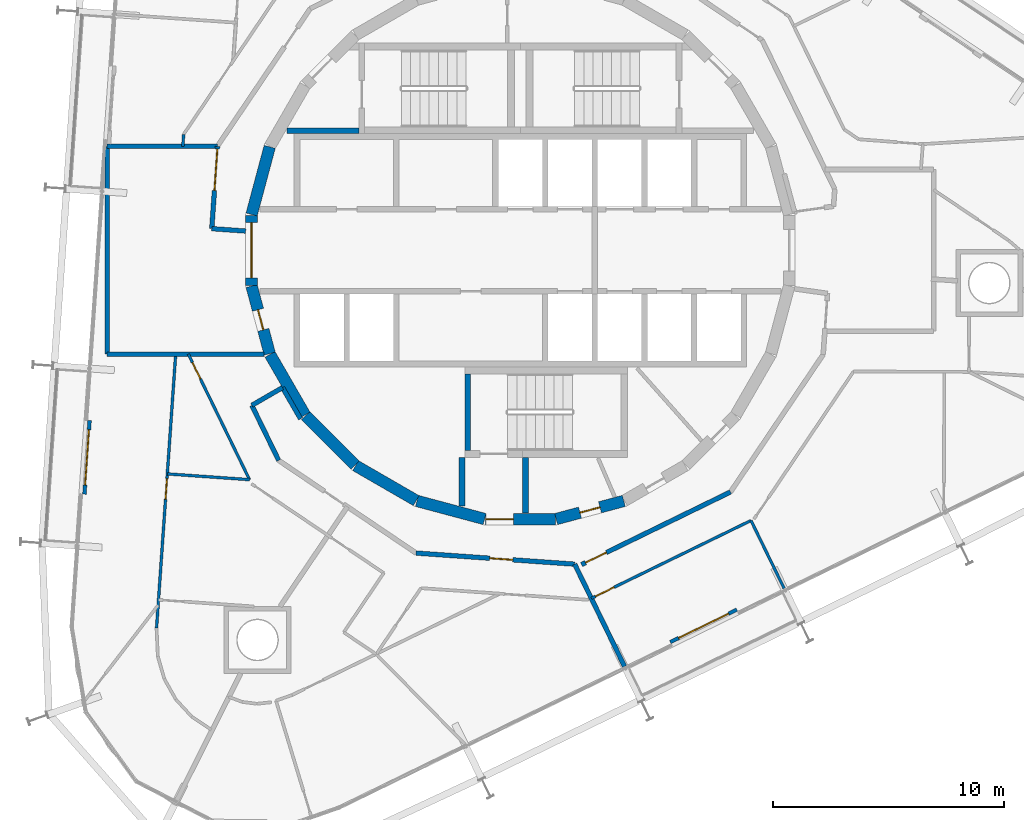
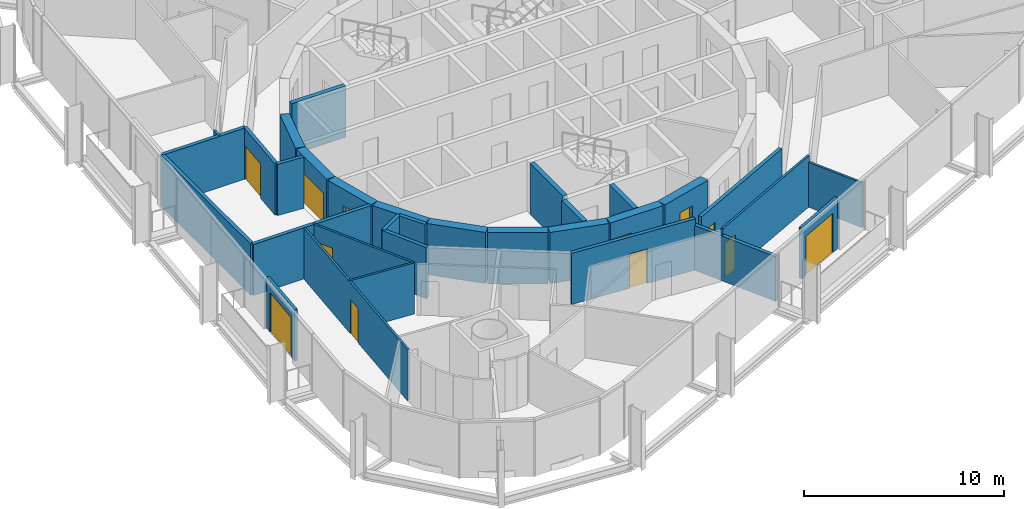
# One storey, part 12 of 17: 32 walls, 12 doors, 12 openings.
"""IFC4 building model written with IfcOpenShell, lengths in metres."""

from ifc_helpers import new_model, si_unit, direction, frame, frame_2d, origin, place, context, subcontext, project, spatial, rectangle, extrude, material, layer, layer_set, type_object, element, fill, save


model = new_model("IFC4")

# Units and contexts
model_context = context("Model", 3, precision=1e-05, world=origin(), true_north=direction((0.0, 1.0)))
body_context = subcontext(model_context, "Body", "Model", "MODEL_VIEW")
ifc_project = project(units=[si_unit("LENGTHUNIT", "METRE"), si_unit("AREAUNIT", "SQUARE_METRE"), si_unit("VOLUMEUNIT", "CUBIC_METRE"), si_unit("PLANEANGLEUNIT", "RADIAN"), si_unit("MASSUNIT", "GRAM", prefix="KILO")], contexts=[model_context])

# Site, building, storey
site_placement = place(None, origin())
site = spatial("IfcSite", under=ifc_project, at=site_placement, CompositionType="ELEMENT")
building_placement = place(site_placement, origin())
building = spatial("IfcBuilding", under=site, at=building_placement, Name="Spindle Arch Residences", CompositionType="ELEMENT")
storey_placement = place(building_placement, frame((0.0, 0.0, 212.89990234375)))
storey = spatial("IfcBuildingStorey", under=building, at=storey_placement, Name="L54", CompositionType="ELEMENT", Elevation=212.89990234375)

# Wall, opening, door
ifc_material_1 = material(Name="Concrete C50/60", Category="concrete")
ifc_layer_1 = layer(ifc_material_1, 0.5)
ifc_layer_set_1 = layer_set([ifc_layer_1], Name="Core outline wall 500")
wall_type_1 = type_object("IfcWallType", Name="Core outline wall 500", PredefinedType="SHEAR", material=ifc_layer_set_1)
wall_1_placement = place(storey_placement, frame((1.5498046875, -11.642822265625, 0.0), z_axis=(0.0, 0.0, 1.0), x_axis=(0.965948410781, 0.258734743916, 0.0)))
wall_1 = element("IfcWall", 1, at=wall_1_placement, inside=storey, type_object=wall_type_1, Name="Core outline wall 1", PredefinedType="SHEAR", context=body_context, shape_type="SweptSolid", body=[
    extrude(rectangle(XDim=3.03271484375, YDim=0.5, at=frame_2d((1.516357421875, 0.0))), origin(), (0.0, 0.0, 1.0), 3.1201171875),
])
opening_1_placement = place(wall_1_placement, frame((1.06640625, 0.0, 0.0)))
opening_1 = element("IfcOpeningElement", 2, at=opening_1_placement, cuts=wall_1, Name="Opening R5C1-WD07", PredefinedType="OPENING", context=body_context, shape_type="SweptSolid", body=[
    extrude(rectangle(XDim=0.89990234375, YDim=2.10009765625, at=frame_2d((0.449951171875, 1.050048828125))), frame((0.0, 0.260009765625, 0.0), z_axis=(0.0, -1.0, 0.0), x_axis=(1.0, 0.0, 0.0)), (0.0, 0.0, 1.0), 0.52001953125),
])
ifc_material_2 = material(Name="Steel, fire-resisting door", Category="steel")
door_type_1 = type_object("IfcDoorType", Name="Service room door 900x2100", OperationType="SINGLE_SWING_LEFT", PredefinedType="DOOR", material=ifc_material_2)
door_1_placement = place(opening_1_placement, origin())
door_1 = element("IfcDoor", 3, at=door_1_placement, inside=storey, type_object=door_type_1, Name="Service room door R5C1-WD07", OperationType="SINGLE_SWING_LEFT", OverallHeight=2.10009765625, OverallWidth=0.89990234375, PredefinedType="DOOR", context=body_context, shape_type="SweptSolid", body=[
    extrude(rectangle(XDim=0.89990234375, YDim=2.10009765625, at=frame_2d((0.449951171875, 1.050048828125))), frame((0.0, 0.02490234375, 0.0), z_axis=(0.0, -1.0, 0.0), x_axis=(1.0, 0.0, 0.0)), (0.0, 0.0, 1.0), 0.050048828125),
])
fill(opening_1, door_1)

# Wall
wall_2_placement = place(storey_placement, frame((-10.858154296875, 4.479248046875, 0.0), z_axis=(0.0, 0.0, 1.0), x_axis=(-0.258734743916, -0.965948410781, 0.0)))
element("IfcWall", 4, at=wall_2_placement, inside=storey, type_object=wall_type_1, Name="Core outline wall 17", PredefinedType="SHEAR", context=body_context, shape_type="SweptSolid", body=[
    extrude(rectangle(XDim=3.03271484375, YDim=0.5, at=frame_2d((1.516357421875, 0.0))), origin(), (0.0, 0.0, 1.0), 3.1201171875),
])

# Wall, opening, door
wall_3_placement = place(storey_placement, frame((-11.647216796875, 1.516357421875, 0.0), z_axis=(0.0, 0.0, 1.0), x_axis=(0.0, -1.0, 0.0)))
wall_3 = element("IfcWall", 5, at=wall_3_placement, inside=storey, type_object=wall_type_1, Name="Core outline wall 18", PredefinedType="SHEAR", context=body_context, shape_type="SweptSolid", body=[
    extrude(rectangle(XDim=3.03271484375, YDim=0.5, at=frame_2d((1.516357421875, 0.0))), origin(), (0.0, 0.0, 1.0), 3.1201171875),
])
opening_2_placement = place(wall_3_placement, frame((0.31640625, 0.0, 0.0)))
opening_2 = element("IfcOpeningElement", 6, at=opening_2_placement, cuts=wall_3, Name="Opening R5C1-LE01", PredefinedType="OPENING", context=body_context, shape_type="SweptSolid", body=[
    extrude(rectangle(XDim=2.39990234375, YDim=2.10009765625, at=frame_2d((1.199951171875, 1.050048828125))), frame((0.0, 0.260009765625, 0.0), z_axis=(0.0, -1.0, 0.0), x_axis=(1.0, 0.0, 0.0)), (0.0, 0.0, 1.0), 0.52001953125),
])
ifc_material_3 = material(Name="Steel, fire-resisting door", Category="steel")
door_type_2 = type_object("IfcDoorType", Name="Lift lobby entrance door 2400x2100", OperationType="DOUBLE_DOOR_SINGLE_SWING", PredefinedType="DOOR", material=ifc_material_3)
door_2_placement = place(opening_2_placement, origin())
door_2 = element("IfcDoor", 7, at=door_2_placement, inside=storey, type_object=door_type_2, Name="Lift lobby entrance door R5C1-LE01", OperationType="DOUBLE_DOOR_SINGLE_SWING", OverallHeight=2.10009765625, OverallWidth=2.39990234375, PredefinedType="DOOR", context=body_context, shape_type="SweptSolid", body=[
    extrude(rectangle(XDim=2.39990234375, YDim=2.10009765625, at=frame_2d((1.199951171875, 1.050048828125))), frame((0.0, 0.02490234375, 0.0), z_axis=(0.0, -1.0, 0.0), x_axis=(1.0, 0.0, 0.0)), (0.0, 0.0, 1.0), 0.050048828125),
])
fill(opening_2, door_2)

wall_4_placement = place(storey_placement, frame((-11.642822265625, -1.5498046875, 0.0), z_axis=(0.0, 0.0, 1.0), x_axis=(0.258734743916, -0.965948410781, 0.0)))
wall_4 = element("IfcWall", 8, at=wall_4_placement, inside=storey, type_object=wall_type_1, Name="Core outline wall 19", PredefinedType="SHEAR", context=body_context, shape_type="SweptSolid", body=[
    extrude(rectangle(XDim=3.03271484375, YDim=0.5, at=frame_2d((1.516357421875, 0.0))), origin(), (0.0, 0.0, 1.0), 3.1201171875),
])
opening_3_placement = place(wall_4_placement, frame((1.06640625, 0.0, 0.0)))
opening_3 = element("IfcOpeningElement", 9, at=opening_3_placement, cuts=wall_4, Name="Opening R5C1-WD09", PredefinedType="OPENING", context=body_context, shape_type="SweptSolid", body=[
    extrude(rectangle(XDim=0.89990234375, YDim=2.10009765625, at=frame_2d((0.449951171875, 1.050048828125))), frame((0.0, 0.260009765625, 0.0), z_axis=(0.0, -1.0, 0.0), x_axis=(1.0, 0.0, 0.0)), (0.0, 0.0, 1.0), 0.52001953125),
])
door_3_placement = place(opening_3_placement, origin())
door_3 = element("IfcDoor", 10, at=door_3_placement, inside=storey, type_object=door_type_1, Name="Service room door R5C1-WD09", OperationType="SINGLE_SWING_LEFT", OverallHeight=2.10009765625, OverallWidth=0.89990234375, PredefinedType="DOOR", context=body_context, shape_type="SweptSolid", body=[
    extrude(rectangle(XDim=0.89990234375, YDim=2.10009765625, at=frame_2d((0.449951171875, 1.050048828125))), frame((0.0, 0.02490234375, 0.0), z_axis=(0.0, -1.0, 0.0), x_axis=(1.0, 0.0, 0.0)), (0.0, 0.0, 1.0), 0.050048828125),
])
fill(opening_3, door_3)

# Walls
wall_5_placement = place(storey_placement, frame((-10.84521484375, -4.510498046875, 0.0), z_axis=(0.0, 0.0, 1.0), x_axis=(0.500087131594, -0.865975092491, 0.0)))
element("IfcWall", 11, at=wall_5_placement, inside=storey, type_object=wall_type_1, Name="Core outline wall 20", PredefinedType="SHEAR", context=body_context, shape_type="SweptSolid", body=[
    extrude(rectangle(XDim=3.03271484375, YDim=0.5, at=frame_2d((1.516357421875, 0.0))), origin(), (0.0, 0.0, 1.0), 3.1201171875),
])
wall_6_placement = place(storey_placement, frame((-9.30810546875, -7.163818359375, 0.0), z_axis=(0.0, 0.0, 1.0), x_axis=(0.707106781187, -0.707106781187, 0.0)))
element("IfcWall", 12, at=wall_6_placement, inside=storey, type_object=wall_type_1, Name="Core outline wall 21", PredefinedType="SHEAR", context=body_context, shape_type="SweptSolid", body=[
    extrude(rectangle(XDim=3.032470703125, YDim=0.5, at=frame_2d((1.51611328125, 0.0))), origin(), (0.0, 0.0, 1.0), 3.1201171875),
])
for number, where, z_axis, x_axis, name in (
    (13, (-7.13671875, -9.32861328125, 0.0), (0.0, 0.0, 1.0), (0.865975092491, -0.500087131594, 0.0), "Core outline wall 22"),
    (14, (-4.479248046875, -10.858154296875, 0.0), (0.0, 0.0, 1.0), (0.965948410781, -0.258734743916, 0.0), "Core outline wall 23"),
):
    element("IfcWall", number, at=place(storey_placement, frame(where, z_axis=z_axis, x_axis=x_axis)), inside=storey, type_object=wall_type_1, Name=name, PredefinedType="SHEAR", context=body_context, shape_type="SweptSolid", body=[
        extrude(rectangle(XDim=3.03271484375, YDim=0.5, at=frame_2d((1.516357421875, 0.0))), origin(), (0.0, 0.0, 1.0), 3.1201171875),
    ])

# Wall, opening, door
wall_7_placement = place(storey_placement, frame((-1.516357421875, -11.647216796875, 0.0), z_axis=(0.0, 0.0, 1.0), x_axis=(1.0, 0.0, 0.0)))
wall_7 = element("IfcWall", 15, at=wall_7_placement, inside=storey, type_object=wall_type_1, Name="Core outline wall 24", PredefinedType="SHEAR", context=body_context, shape_type="SweptSolid", body=[
    extrude(rectangle(XDim=3.03271484375, YDim=0.5, at=frame_2d((1.516357421875, 0.0))), origin(), (0.0, 0.0, 1.0), 3.1201171875),
])
opening_4_placement = place(wall_7_placement, frame((0.016357421875, 0.0, 0.0)))
opening_4 = element("IfcOpeningElement", 16, at=opening_4_placement, cuts=wall_7, Name="Opening R5C1-AD03", PredefinedType="OPENING", context=body_context, shape_type="SweptSolid", body=[
    extrude(rectangle(XDim=1.199951171875, YDim=2.10009765625, at=frame_2d((0.60009765625, 1.050048828125))), frame((0.0, 0.260009765625, 0.0), z_axis=(0.0, -1.0, 0.0), x_axis=(1.0, 0.0, 0.0)), (0.0, 0.0, 1.0), 0.52001953125),
])
ifc_material_4 = material(Name="Steel, fire-resisting door", Category="steel")
door_type_3 = type_object("IfcDoorType", Name="Stair airlock door 1200x2100", OperationType="SINGLE_SWING_LEFT", PredefinedType="DOOR", material=ifc_material_4)
door_4_placement = place(opening_4_placement, origin())
door_4 = element("IfcDoor", 17, at=door_4_placement, inside=storey, type_object=door_type_3, Name="Stair airlock door R5C1-AD03", OperationType="SINGLE_SWING_RIGHT", OverallHeight=2.10009765625, OverallWidth=1.199951171875, PredefinedType="DOOR", context=body_context, shape_type="SweptSolid", body=[
    extrude(rectangle(XDim=1.199951171875, YDim=2.10009765625, at=frame_2d((0.60009765625, 1.050048828125))), frame((0.0, 0.02490234375, 0.0), z_axis=(0.0, -1.0, 0.0), x_axis=(1.0, 0.0, 0.0)), (0.0, 0.0, 1.0), 0.050048828125),
])
fill(opening_4, door_4)

# Walls
ifc_material_5 = material(Name="Calcium silicate block, plastered")
ifc_layer_2 = layer(ifc_material_5, 0.199951171875)
ifc_layer_set_2 = layer_set([ifc_layer_2], Name="Corridor wall 200")
wall_type_2 = type_object("IfcWallType", Name="Corridor wall 200", PredefinedType="STANDARD", material=ifc_layer_set_2)
wall_8_placement = place(storey_placement, frame((-10.303466796875, -5.94873046875, 0.0), z_axis=(0.0, 0.0, 1.0), x_axis=(-0.866042588199, -0.499970234539, 0.0)))
element("IfcWall", 18, at=wall_8_placement, inside=storey, type_object=wall_type_2, Name="Corridor wall R5C1-W015", PredefinedType="STANDARD", context=body_context, shape_type="SweptSolid", body=[
    extrude(rectangle(XDim=1.53515625, YDim=0.199951171875, at=frame_2d((0.767578125, 0.0))), origin(), (0.0, 0.0, 1.0), 3.1201171875),
])
wall_9_placement = place(storey_placement, frame((-11.633056640625, -6.71630859375, 0.0), z_axis=(0.0, 0.0, 1.0), x_axis=(0.438322116278, -0.898817958422, 0.0)))
element("IfcWall", 19, at=wall_9_placement, inside=storey, type_object=wall_type_2, Name="Corridor wall R5C1-W016", PredefinedType="STANDARD", context=body_context, shape_type="SweptSolid", body=[
    extrude(rectangle(XDim=2.653564453125, YDim=0.199951171875, at=frame_2d((1.32666015625, 0.0))), origin(), (0.0, 0.0, 1.0), 3.1201171875),
])
wall_10_placement = place(storey_placement, frame((-9.520263671875, -7.30517578125, 0.0), z_axis=(0.0, 0.0, 1.0), x_axis=(-0.500028278809, 0.866009076391, 0.0)))
element("IfcWall", 20, at=wall_10_placement, inside=storey, type_object=wall_type_2, Name="Corridor wall R5C1-W018", PredefinedType="STANDARD", context=body_context, shape_type="SweptSolid", body=[
    extrude(rectangle(XDim=1.56640625, YDim=0.199951171875, at=frame_2d((0.783203125, 0.0))), origin(), (0.0, 0.0, 1.0), 3.1201171875),
])

# Wall, opening, door
wall_11_placement = place(storey_placement, frame((-4.5166015625, -13.116943359375, 0.0), z_axis=(0.0, 0.0, 1.0), x_axis=(0.997564669554, -0.069747616856, 0.0)))
wall_11 = element("IfcWall", 21, at=wall_11_placement, inside=storey, type_object=wall_type_2, Name="Corridor wall R5C1-W019", PredefinedType="STANDARD", context=body_context, shape_type="SweptSolid", body=[
    extrude(rectangle(XDim=6.88525390625, YDim=0.199951171875, at=frame_2d((3.442626953125, 0.0))), origin(), (0.0, 0.0, 1.0), 3.1201171875),
])
opening_5_placement = place(wall_11_placement, frame((3.199951171875, 0.0, 0.0)))
opening_5 = element("IfcOpeningElement", 22, at=opening_5_placement, cuts=wall_11, Name="Opening R5C1-FD05", PredefinedType="OPENING", context=body_context, shape_type="SweptSolid", body=[
    extrude(rectangle(XDim=1.0, YDim=2.10009765625, at=frame_2d((0.5, 1.050048828125))), frame((0.0, 0.10986328125, 0.0), z_axis=(0.0, -1.0, 0.0), x_axis=(1.0, 0.0, 0.0)), (0.0, 0.0, 1.0), 0.219970703125),
])
ifc_material_6 = material(Name="Timber, fire-resisting door set", Category="wood")
door_type_4 = type_object("IfcDoorType", Name="Flat entrance door 1000x2100", OperationType="NOTDEFINED", PredefinedType="DOOR", material=ifc_material_6)
door_5_placement = place(opening_5_placement, origin())
door_5 = element("IfcDoor", 23, at=door_5_placement, inside=storey, type_object=door_type_4, Name="Flat entrance door R5C1-FD05", OperationType="SINGLE_SWING_LEFT", OverallHeight=2.10009765625, OverallWidth=1.0, PredefinedType="DOOR", context=body_context, shape_type="SweptSolid", body=[
    extrude(rectangle(XDim=1.0, YDim=2.10009765625, at=frame_2d((0.5, 1.050048828125))), frame((0.0, 0.02490234375, 0.0), z_axis=(0.0, -1.0, 0.0), x_axis=(1.0, 0.0, 0.0)), (0.0, 0.0, 1.0), 0.050048828125),
])
fill(opening_5, door_5)

wall_12_placement = place(storey_placement, frame((2.64697265625, -13.617919921875, 0.0), z_axis=(0.0, 0.0, 1.0), x_axis=(0.898796543751, 0.438366026218, 0.0)))
wall_12 = element("IfcWall", 24, at=wall_12_placement, inside=storey, type_object=wall_type_2, Name="Corridor wall R5C1-W020", PredefinedType="STANDARD", context=body_context, shape_type="SweptSolid", body=[
    extrude(rectangle(XDim=7.18115234375, YDim=0.199951171875, at=frame_2d((3.590576171875, 0.0))), origin(), (0.0, 0.0, 1.0), 3.1201171875),
])
opening_6_placement = place(wall_12_placement, frame((0.199951171875, 0.0, 0.0)))
opening_6 = element("IfcOpeningElement", 25, at=opening_6_placement, cuts=wall_12, Name="Opening R5C1-FD06", PredefinedType="OPENING", context=body_context, shape_type="SweptSolid", body=[
    extrude(rectangle(XDim=1.0, YDim=2.10009765625, at=frame_2d((0.5, 1.050048828125))), frame((0.0, 0.10986328125, 0.0), z_axis=(0.0, -1.0, 0.0), x_axis=(1.0, 0.0, 0.0)), (0.0, 0.0, 1.0), 0.219970703125),
])
door_6_placement = place(opening_6_placement, origin())
door_6 = element("IfcDoor", 26, at=door_6_placement, inside=storey, type_object=door_type_4, Name="Flat entrance door R5C1-FD06", OperationType="SINGLE_SWING_LEFT", OverallHeight=2.10009765625, OverallWidth=1.0, PredefinedType="DOOR", context=body_context, shape_type="SweptSolid", body=[
    extrude(rectangle(XDim=1.0, YDim=2.10009765625, at=frame_2d((0.5, 1.050048828125))), frame((0.0, 0.02490234375, 0.0), z_axis=(0.0, -1.0, 0.0), x_axis=(1.0, 0.0, 0.0)), (0.0, 0.0, 1.0), 0.050048828125),
])
fill(opening_6, door_6)

# Wall
ifc_material_7 = material(Name="Plasterboard on steel studs", Category="steel")
ifc_layer_3 = layer(ifc_material_7, 0.1201171875)
ifc_layer_set_3 = layer_set([ifc_layer_3], Name="Flat partition 120")
wall_type_3 = type_object("IfcWallType", Name="Flat partition 120", PredefinedType="PARTITIONING", material=ifc_layer_set_3)
wall_13_placement = place(storey_placement, frame((-14.585205078125, 5.022216796875, 0.0), z_axis=(0.0, 0.0, 1.0), x_axis=(-0.069490327804, -0.997582625321, 0.0)))
element("IfcWall", 27, at=wall_13_placement, inside=storey, type_object=wall_type_3, Name="Flat partition R5C1-W061", PredefinedType="PARTITIONING", context=body_context, shape_type="SweptSolid", body=[
    extrude(rectangle(XDim=0.5234375, YDim=0.1201171875, at=frame_2d((0.26171875, 0.0))), origin(), (0.0, 0.0, 1.0), 3.1201171875),
])

# Wall, opening, door
wall_14_placement = place(storey_placement, frame((-14.383056640625, -4.5, 0.0), z_axis=(0.0, 0.0, 1.0), x_axis=(0.438393414895, -0.898783185077, 0.0)))
wall_14 = element("IfcWall", 28, at=wall_14_placement, inside=storey, type_object=wall_type_3, Name="Flat partition R5C1-W071", PredefinedType="PARTITIONING", context=body_context, shape_type="SweptSolid", body=[
    extrude(rectangle(XDim=6.049072265625, YDim=0.1201171875, at=frame_2d((3.0244140625, 0.0))), origin(), (0.0, 0.0, 1.0), 3.1201171875),
])
opening_7_placement = place(wall_14_placement, frame((0.39990234375, 0.0, 0.0)))
opening_7 = element("IfcOpeningElement", 29, at=opening_7_placement, cuts=wall_14, Name="Opening R5C1-BD04", PredefinedType="OPENING", context=body_context, shape_type="SweptSolid", body=[
    extrude(rectangle(XDim=0.800048828125, YDim=2.10009765625, at=frame_2d((0.39990234375, 1.050048828125))), frame((0.0, 0.070068359375, 0.0), z_axis=(0.0, -1.0, 0.0), x_axis=(1.0, 0.0, 0.0)), (0.0, 0.0, 1.0), 0.14013671875),
])
ifc_material_8 = material(Name="Timber door set", Category="wood")
door_type_5 = type_object("IfcDoorType", Name="Bathroom door 800x2100", OperationType="NOTDEFINED", PredefinedType="DOOR", material=ifc_material_8)
door_7_placement = place(opening_7_placement, origin())
door_7 = element("IfcDoor", 30, at=door_7_placement, inside=storey, type_object=door_type_5, Name="Bathroom door R5C1-BD04", OperationType="SINGLE_SWING_RIGHT", OverallHeight=2.10009765625, OverallWidth=0.800048828125, PredefinedType="DOOR", context=body_context, shape_type="SweptSolid", body=[
    extrude(rectangle(XDim=0.800048828125, YDim=2.10009765625, at=frame_2d((0.39990234375, 1.050048828125))), frame((0.0, 0.02490234375, 0.0), z_axis=(0.0, -1.0, 0.0), x_axis=(1.0, 0.0, 0.0)), (0.0, 0.0, 1.0), 0.050048828125),
])
fill(opening_7, door_7)

wall_15_placement = place(storey_placement, frame((-14.930908203125, -4.5, 0.0), z_axis=(0.0, 0.0, 1.0), x_axis=(-0.069751708439, -0.997564383471, 0.0)))
wall_15 = element("IfcWall", 31, at=wall_15_placement, inside=storey, type_object=wall_type_3, Name="Flat partition R5C1-W073", PredefinedType="PARTITIONING", context=body_context, shape_type="SweptSolid", body=[
    extrude(rectangle(XDim=11.8935546875, YDim=0.1201171875, at=frame_2d((5.94677734375, 0.0))), origin(), (0.0, 0.0, 1.0), 3.1201171875),
])
opening_8_placement = place(wall_15_placement, frame((5.400390625, 0.0, 0.0)))
opening_8 = element("IfcOpeningElement", 32, at=opening_8_placement, cuts=wall_15, Name="Opening R5C1-ID15", PredefinedType="OPENING", context=body_context, shape_type="SweptSolid", body=[
    extrude(rectangle(XDim=0.89990234375, YDim=2.10009765625, at=frame_2d((0.449951171875, 1.050048828125))), frame((0.0, 0.070068359375, 0.0), z_axis=(0.0, -1.0, 0.0), x_axis=(1.0, 0.0, 0.0)), (0.0, 0.0, 1.0), 0.14013671875),
])
ifc_material_9 = material(Name="Timber door set", Category="wood")
door_type_6 = type_object("IfcDoorType", Name="Room door 900x2100", OperationType="NOTDEFINED", PredefinedType="DOOR", material=ifc_material_9)
door_8_placement = place(opening_8_placement, origin())
door_8 = element("IfcDoor", 33, at=door_8_placement, inside=storey, type_object=door_type_6, Name="Room door R5C1-ID15", OperationType="SINGLE_SWING_RIGHT", OverallHeight=2.10009765625, OverallWidth=0.89990234375, PredefinedType="DOOR", context=body_context, shape_type="SweptSolid", body=[
    extrude(rectangle(XDim=0.89990234375, YDim=2.10009765625, at=frame_2d((0.449951171875, 1.050048828125))), frame((0.0, 0.02490234375, 0.0), z_axis=(0.0, -1.0, 0.0), x_axis=(1.0, 0.0, 0.0)), (0.0, 0.0, 1.0), 0.050048828125),
])
fill(opening_8, door_8)

# Wall
wall_16_placement = place(storey_placement, frame((-15.293701171875, -9.687744140625, 0.0), z_axis=(0.0, 0.0, 1.0), x_axis=(0.997565819809, -0.069731163391, 0.0)))
element("IfcWall", 34, at=wall_16_placement, inside=storey, type_object=wall_type_3, Name="Flat partition R5C1-W074", PredefinedType="PARTITIONING", context=body_context, shape_type="SweptSolid", body=[
    extrude(rectangle(XDim=3.5712890625, YDim=0.1201171875, at=frame_2d((1.78564453125, 0.0))), origin(), (0.0, 0.0, 1.0), 3.1201171875),
])

# Wall, opening, door
wall_17_placement = place(storey_placement, frame((3.07421875, -15.078369140625, 0.0), z_axis=(0.0, 0.0, 1.0), x_axis=(0.898800770739, 0.438357359377, 0.0)))
wall_17 = element("IfcWall", 35, at=wall_17_placement, inside=storey, type_object=wall_type_3, Name="Flat partition R5C1-W093", PredefinedType="PARTITIONING", context=body_context, shape_type="SweptSolid", body=[
    extrude(rectangle(XDim=7.693603515625, YDim=0.1201171875, at=frame_2d((3.8466796875, 0.0))), origin(), (0.0, 0.0, 1.0), 3.1201171875),
])
opening_9_placement = place(wall_17_placement, frame((0.199951171875, 0.0, 0.0)))
opening_9 = element("IfcOpeningElement", 36, at=opening_9_placement, cuts=wall_17, Name="Opening R5C1-ID22", PredefinedType="OPENING", context=body_context, shape_type="SweptSolid", body=[
    extrude(rectangle(XDim=0.89990234375, YDim=2.10009765625, at=frame_2d((0.449951171875, 1.050048828125))), frame((0.0, 0.070068359375, 0.0), z_axis=(0.0, -1.0, 0.0), x_axis=(1.0, 0.0, 0.0)), (0.0, 0.0, 1.0), 0.14013671875),
])
door_9_placement = place(opening_9_placement, origin())
door_9 = element("IfcDoor", 37, at=door_9_placement, inside=storey, type_object=door_type_6, Name="Room door R5C1-ID22", OperationType="SINGLE_SWING_LEFT", OverallHeight=2.10009765625, OverallWidth=0.89990234375, PredefinedType="DOOR", context=body_context, shape_type="SweptSolid", body=[
    extrude(rectangle(XDim=0.89990234375, YDim=2.10009765625, at=frame_2d((0.449951171875, 1.050048828125))), frame((0.0, 0.02490234375, 0.0), z_axis=(0.0, -1.0, 0.0), x_axis=(1.0, 0.0, 0.0)), (0.0, 0.0, 1.0), 0.050048828125),
])
fill(opening_9, door_9)

# Walls
ifc_material_10 = material(Name="Plasterboard on steel studs", Category="steel")
ifc_layer_4 = layer(ifc_material_10, 0.1201171875)
ifc_layer_set_4 = layer_set([ifc_layer_4], Name="Flat partition 120 under beam 2730")
wall_type_4 = type_object("IfcWallType", Name="Flat partition 120 under beam 2730", PredefinedType="PARTITIONING", material=ifc_layer_set_4)
wall_18_placement = place(storey_placement, frame((11.427490234375, -14.654296875, 0.0), z_axis=(0.0, 0.0, 1.0), x_axis=(-0.438410435857, 0.898774882677, 0.0)))
element("IfcWall", 38, at=wall_18_placement, inside=storey, type_object=wall_type_4, Name="Flat partition R5C1-W097", PredefinedType="PARTITIONING", context=body_context, shape_type="SweptSolid", body=[
    extrude(rectangle(XDim=3.280517578125, YDim=0.1201171875, at=frame_2d((1.64013671875, 0.0))), origin(), (0.0, 0.0, 1.0), 2.72998046875),
])
ifc_material_11 = material(Name="Calcium silicate block, plastered")
ifc_layer_5 = layer(ifc_material_11, 0.199951171875)
ifc_layer_set_5 = layer_set([ifc_layer_5], Name="Flat party wall 200 under beam 2730")
wall_type_5 = type_object("IfcWallType", Name="Flat party wall 200 under beam 2730", PredefinedType="STANDARD", material=ifc_layer_set_5)
wall_19_placement = place(storey_placement, frame((4.512451171875, -18.027099609375, 0.0), z_axis=(0.0, 0.0, 1.0), x_axis=(-0.438374835386, 0.898792247241, 0.0)))
element("IfcWall", 39, at=wall_19_placement, inside=storey, type_object=wall_type_5, Name="Flat party wall R5C1-W037", PredefinedType="STANDARD", context=body_context, shape_type="SweptSolid", body=[
    extrude(rectangle(XDim=4.9287109375, YDim=0.199951171875, at=frame_2d((2.46435546875, 0.0))), origin(), (0.0, 0.0, 1.0), 2.72998046875),
])

# Wall, opening, door
ifc_material_12 = material(Name="Non-combustible mineral wool insulated aluminium faced external wall (K0)", Category="aluminium")
ifc_layer_6 = layer(ifc_material_12, 0.159912109375)
ifc_layer_set_6 = layer_set([ifc_layer_6], Name="Insulated external wall panel 160")
wall_type_6 = type_object("IfcWallType", Name="Insulated external wall panel 160", PredefinedType="STANDARD", material=ifc_layer_set_6)
wall_20_placement = place(storey_placement, frame((-18.66064453125, -7.37451171875, 0.0), z_axis=(0.0, 0.0, 1.0), x_axis=(-0.069734222855, -0.997565605944, 0.0)))
wall_20 = element("IfcWall", 40, at=wall_20_placement, inside=storey, type_object=wall_type_6, Name="External wall L54 bay 16", PredefinedType="STANDARD", context=body_context, shape_type="SweptSolid", body=[
    extrude(rectangle(XDim=3.199951171875, YDim=0.159912109375, at=frame_2d((1.60009765625, 0.0))), origin(), (0.0, 0.0, 1.0), 3.1201171875),
])
opening_10_placement = place(wall_20_placement, frame((0.39990234375, 0.0, 0.0)))
opening_10 = element("IfcOpeningElement", 41, at=opening_10_placement, cuts=wall_20, Name="Opening BD16", PredefinedType="OPENING", context=body_context, shape_type="SweptSolid", body=[
    extrude(rectangle(XDim=2.39990234375, YDim=2.39990234375, at=frame_2d((1.199951171875, 1.199951171875))), frame((0.0, 0.08984375, 0.0), z_axis=(0.0, -1.0, 0.0), x_axis=(1.0, 0.0, 0.0)), (0.0, 0.0, 1.0), 0.179931640625),
])
ifc_material_13 = material(Name="Bronze aluminium frame, tinted double glazing", Category="aluminium")
door_type_7 = type_object("IfcDoorType", Name="Sliding glazed balcony door 2400x2400", OperationType="DOUBLE_DOOR_SLIDING", PredefinedType="DOOR", material=ifc_material_13)
door_10_placement = place(opening_10_placement, origin())
door_10 = element("IfcDoor", 42, at=door_10_placement, inside=storey, type_object=door_type_7, Name="Balcony door BD16", OperationType="DOUBLE_DOOR_SLIDING", OverallHeight=2.39990234375, OverallWidth=2.39990234375, PredefinedType="DOOR", context=body_context, shape_type="SweptSolid", body=[
    extrude(rectangle(XDim=2.39990234375, YDim=2.39990234375, at=frame_2d((1.199951171875, 1.199951171875))), frame((0.0, 0.02490234375, 0.0), z_axis=(0.0, -1.0, 0.0), x_axis=(1.0, 0.0, 0.0)), (0.0, 0.0, 1.0), 0.050048828125),
])
fill(opening_10, door_10)

wall_21_placement = place(storey_placement, frame((6.496826171875, -16.97021484375, 0.0), z_axis=(0.0, 0.0, 1.0), x_axis=(0.898778711213, 0.43840258698, 0.0)))
wall_21 = element("IfcWall", 43, at=wall_21_placement, inside=storey, type_object=wall_type_6, Name="External wall L54 bay 22", PredefinedType="STANDARD", context=body_context, shape_type="SweptSolid", body=[
    extrude(rectangle(XDim=3.199951171875, YDim=0.159912109375, at=frame_2d((1.60009765625, 0.0))), origin(), (0.0, 0.0, 1.0), 3.1201171875),
])
opening_11_placement = place(wall_21_placement, frame((0.39990234375, 0.0, 0.0)))
opening_11 = element("IfcOpeningElement", 44, at=opening_11_placement, cuts=wall_21, Name="Opening BD22", PredefinedType="OPENING", context=body_context, shape_type="SweptSolid", body=[
    extrude(rectangle(XDim=2.39990234375, YDim=2.39990234375, at=frame_2d((1.199951171875, 1.199951171875))), frame((0.0, 0.08984375, 0.0), z_axis=(0.0, -1.0, 0.0), x_axis=(1.0, 0.0, 0.0)), (0.0, 0.0, 1.0), 0.179931640625),
])
door_11_placement = place(opening_11_placement, origin())
door_11 = element("IfcDoor", 45, at=door_11_placement, inside=storey, type_object=door_type_7, Name="Balcony door BD22", OperationType="DOUBLE_DOOR_SLIDING", OverallHeight=2.39990234375, OverallWidth=2.39990234375, PredefinedType="DOOR", context=body_context, shape_type="SweptSolid", body=[
    extrude(rectangle(XDim=2.39990234375, YDim=2.39990234375, at=frame_2d((1.199951171875, 1.199951171875))), frame((0.0, 0.02490234375, 0.0), z_axis=(0.0, -1.0, 0.0), x_axis=(1.0, 0.0, 0.0)), (0.0, 0.0, 1.0), 0.050048828125),
])
fill(opening_11, door_11)

ifc_material_14 = material(Name="Calcium silicate block, plastered")
ifc_layer_7 = layer(ifc_material_14, 0.199951171875)
ifc_layer_set_7 = layer_set([ifc_layer_7], Name="Lift lobby bay wall 200")
wall_type_7 = type_object("IfcWallType", Name="Lift lobby bay wall 200", PredefinedType="STANDARD", material=ifc_layer_set_7)
wall_22_placement = place(storey_placement, frame((-13.1181640625, 4.5, 0.0), z_axis=(0.0, 0.0, 1.0), x_axis=(-0.069746872611, -0.99756472159, 0.0)))
wall_22 = element("IfcWall", 46, at=wall_22_placement, inside=storey, type_object=wall_type_7, Name="Lift lobby bay wall R5C1-W008", PredefinedType="STANDARD", context=body_context, shape_type="SweptSolid", body=[
    extrude(rectangle(XDim=3.573974609375, YDim=0.199951171875, at=frame_2d((1.787109375, 0.0))), origin(), (0.0, 0.0, 1.0), 3.1201171875),
])
opening_12_placement = place(wall_22_placement, frame((0.114990234375, 0.0, 0.0)))
opening_12 = element("IfcOpeningElement", 47, at=opening_12_placement, cuts=wall_22, Name="Opening R5C1-LB01", PredefinedType="OPENING", context=body_context, shape_type="SweptSolid", body=[
    extrude(rectangle(XDim=1.800048828125, YDim=2.10009765625, at=frame_2d((0.89990234375, 1.050048828125))), frame((0.0, 0.10986328125, 0.0), z_axis=(0.0, -1.0, 0.0), x_axis=(1.0, 0.0, 0.0)), (0.0, 0.0, 1.0), 0.219970703125),
])
ifc_material_15 = material(Name="Steel, fire-resisting door", Category="steel")
door_type_8 = type_object("IfcDoorType", Name="Lift lobby bay door 1800x2100", OperationType="NOTDEFINED", PredefinedType="DOOR", material=ifc_material_15)
door_12_placement = place(opening_12_placement, origin())
door_12 = element("IfcDoor", 48, at=door_12_placement, inside=storey, type_object=door_type_8, Name="Lift lobby bay door R5C1-LB01", OperationType="DOUBLE_DOOR_SINGLE_SWING", OverallHeight=2.10009765625, OverallWidth=1.800048828125, PredefinedType="DOOR", context=body_context, shape_type="SweptSolid", body=[
    extrude(rectangle(XDim=1.800048828125, YDim=2.10009765625, at=frame_2d((0.89990234375, 1.050048828125))), frame((0.0, 0.02490234375, 0.0), z_axis=(0.0, -1.0, 0.0), x_axis=(1.0, 0.0, 0.0)), (0.0, 0.0, 1.0), 0.050048828125),
])
fill(opening_12, door_12)

# Walls
wall_23_placement = place(storey_placement, frame((-13.367431640625, 0.934814453125, 0.0), z_axis=(0.0, 0.0, 1.0), x_axis=(0.997553656289, -0.069904955655, 0.0)))
element("IfcWall", 49, at=wall_23_placement, inside=storey, type_object=wall_type_7, Name="Lift lobby bay wall R5C1-W009", PredefinedType="STANDARD", context=body_context, shape_type="SweptSolid", body=[
    extrude(rectangle(XDim=1.473876953125, YDim=0.199951171875, at=frame_2d((0.73681640625, 0.0))), origin(), (0.0, 0.0, 1.0), 3.1201171875),
])
wall_24_placement = place(storey_placement, frame((-13.1181640625, 4.5, 0.0), z_axis=(0.0, 0.0, 1.0), x_axis=(-1.0, 0.0, 0.0)))
element("IfcWall", 50, at=wall_24_placement, inside=storey, type_object=wall_type_7, Name="Lift lobby bay wall R5C1-W022", PredefinedType="STANDARD", context=body_context, shape_type="SweptSolid", body=[
    extrude(rectangle(XDim=4.78173828125, YDim=0.199951171875, at=frame_2d((2.390869140625, 0.0))), origin(), (0.0, 0.0, 1.0), 3.1201171875),
])
wall_25_placement = place(storey_placement, frame((-17.89990234375, 4.5, 0.0), z_axis=(0.0, 0.0, 1.0), x_axis=(0.0, -1.0, 0.0)))
element("IfcWall", 51, at=wall_25_placement, inside=storey, type_object=wall_type_7, Name="Lift lobby bay wall R5C1-W023", PredefinedType="STANDARD", context=body_context, shape_type="SweptSolid", body=[
    extrude(rectangle(XDim=9.0, YDim=0.199951171875, at=frame_2d((4.5, 0.0))), origin(), (0.0, 0.0, 1.0), 3.1201171875),
])
wall_26_placement = place(storey_placement, frame((-17.89990234375, -4.5, 0.0), z_axis=(0.0, 0.0, 1.0), x_axis=(1.0, 0.0, 0.0)))
element("IfcWall", 52, at=wall_26_placement, inside=storey, type_object=wall_type_7, Name="Lift lobby bay wall R5C1-W024", PredefinedType="STANDARD", context=body_context, shape_type="SweptSolid", body=[
    extrude(rectangle(XDim=6.78857421875, YDim=0.199951171875, at=frame_2d((3.394287109375, 0.0))), origin(), (0.0, 0.0, 1.0), 3.1201171875),
])
ifc_material_16 = material(Name="Concrete C40/50", Category="concrete")
ifc_layer_8 = layer(ifc_material_16, 0.25)
ifc_layer_set_8 = layer_set([ifc_layer_8], Name="Stair airlock wall 250")
wall_type_8 = type_object("IfcWallType", Name="Stair airlock wall 250", PredefinedType="SHEAR", material=ifc_layer_set_8)
wall_27_placement = place(storey_placement, frame((-7.0, 5.175048828125, 0.0), z_axis=(0.0, 0.0, 1.0), x_axis=(-1.0, 0.0, 0.0)))
element("IfcWall", 53, at=wall_27_placement, inside=storey, type_object=wall_type_8, Name="Stair ST-2 airlock wall S", PredefinedType="SHEAR", context=body_context, shape_type="SweptSolid", body=[
    extrude(rectangle(XDim=3.10009765625, YDim=0.25, at=frame_2d((1.550048828125, 0.0))), origin(), (0.0, 0.0, 1.0), 3.1201171875),
])
wall_28_placement = place(storey_placement, frame((-2.52490234375, -8.969970703125, 0.0), z_axis=(0.0, 0.0, 1.0), x_axis=(0.0, -1.0, 0.0)))
element("IfcWall", 54, at=wall_28_placement, inside=storey, type_object=wall_type_8, Name="Stair ST-3 airlock wall W", PredefinedType="SHEAR", context=body_context, shape_type="SweptSolid", body=[
    extrude(rectangle(XDim=2.110107421875, YDim=0.25, at=frame_2d((1.05517578125, 0.0))), origin(), (0.0, 0.0, 1.0), 3.1201171875),
])
wall_29_placement = place(storey_placement, frame((0.22509765625, -8.969970703125, 0.0), z_axis=(0.0, 0.0, 1.0), x_axis=(0.0, -1.0, 0.0)))
element("IfcWall", 55, at=wall_29_placement, inside=storey, type_object=wall_type_8, Name="Stair ST-3 airlock wall E", PredefinedType="SHEAR", context=body_context, shape_type="SweptSolid", body=[
    extrude(rectangle(XDim=2.409912109375, YDim=0.25, at=frame_2d((1.205078125, 0.0))), origin(), (0.0, 0.0, 1.0), 3.1201171875),
])
ifc_material_17 = material(Name="Concrete C50/60", Category="concrete")
ifc_layer_9 = layer(ifc_material_17, 0.25)
ifc_layer_set_9 = layer_set([ifc_layer_9], Name="Stair enclosure wall 250")
wall_type_9 = type_object("IfcWallType", Name="Stair enclosure wall 250", PredefinedType="SHEAR", material=ifc_layer_set_9)
wall_30_placement = place(storey_placement, frame((-2.27490234375, -8.669921875, 0.0), z_axis=(0.0, 0.0, 1.0), x_axis=(0.0, 1.0, 0.0)))
element("IfcWall", 56, at=wall_30_placement, inside=storey, type_object=wall_type_9, Name="Stair ST-3 enclosure wall W", PredefinedType="SHEAR", context=body_context, shape_type="SweptSolid", body=[
    extrude(rectangle(XDim=3.31982421875, YDim=0.25, at=frame_2d((1.659912109375, 0.0))), origin(), (0.0, 0.0, 1.0), 3.1201171875),
])

save(model, "model.ifc")
